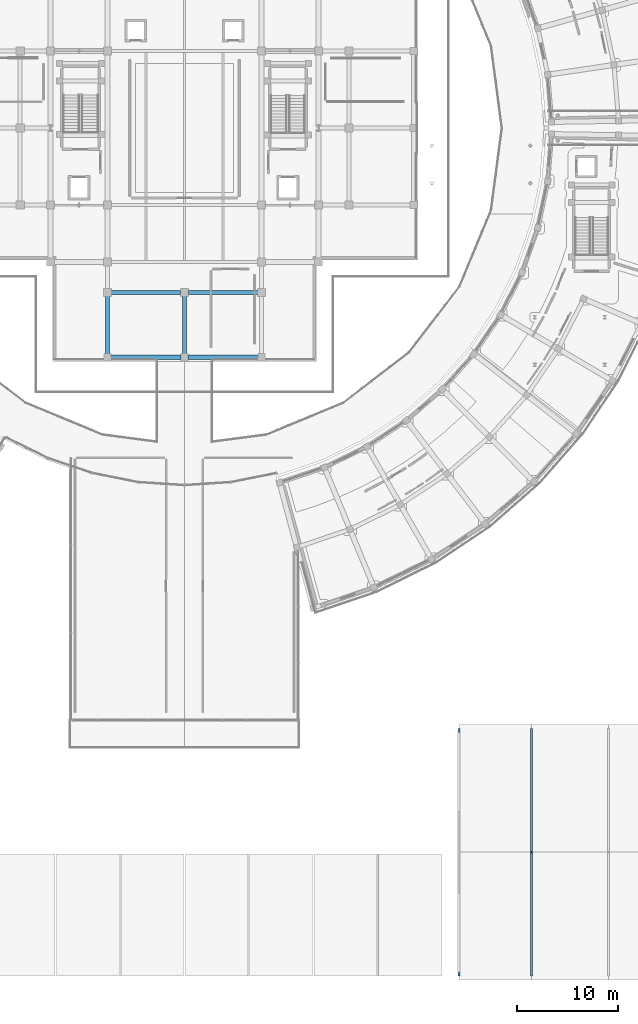
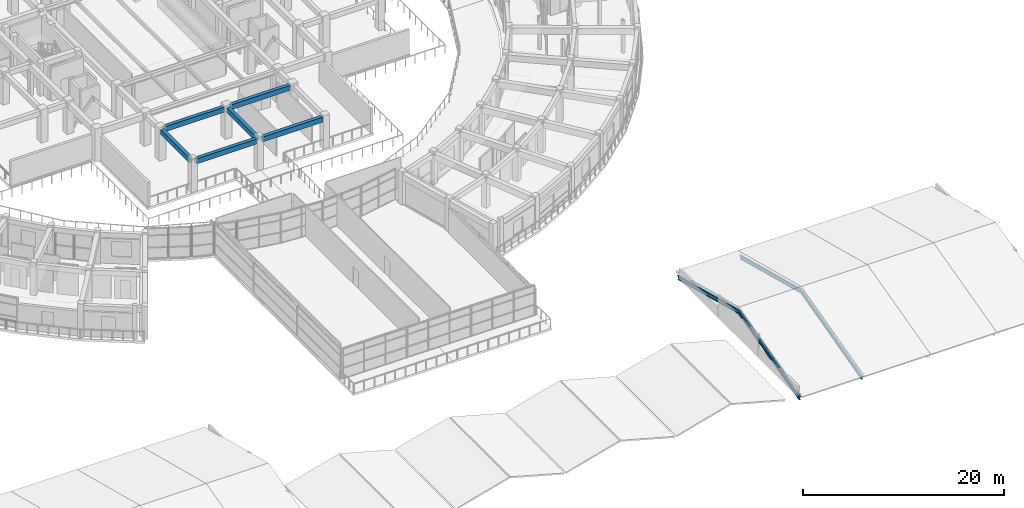
# One storey, part 16 of 83: 6 beams, 4 members.
"""IFC4 building model written with IfcOpenShell, lengths in metres."""

import ifcopenshell
import ifcopenshell.guid

model = None  # the IFC model being written
_history = None  # IfcOwnerHistory: only IFC2X3 demands one
_inside = {}  # id of a spatial element -> (the spatial element, [elements in it])
_under = {}  # id of a project, library or spatial element -> (it, [spatial elements below it])
_declared = {}  # id of a project -> (the project, [libraries it declares])
_typed = {}  # id of a type object -> (the type object, [elements of that type])
_made_of = {}  # id of a material, layer set ... -> (it, [elements and type objects made of it])


def new_model(schema):
    """Start an empty IFC model of exactly this schema.

    Asked for "IFC4X3", IfcOpenShell would pick the latest addendum, in which some entities
    have other attributes; the version numbers below select the first issue.
    IFC2X3 requires an IfcOwnerHistory on every rooted entity: one is made here for all.
    """
    global model, _history
    if schema == "IFC4X3":
        model = ifcopenshell.file(schema_version=(4, 3, 0, 0))
    else:
        model = ifcopenshell.file(schema=schema)
    _inside.clear()
    _under.clear()
    _declared.clear()
    _typed.clear()
    _made_of.clear()
    _history = None
    if model.schema == "IFC2X3":
        org = make("IfcOrganization", Name="unknown")
        user = make(
            "IfcPersonAndOrganization",
            ThePerson=make("IfcPerson", FamilyName="unknown"),
            TheOrganization=org,
        )
        app = make(
            "IfcApplication",
            ApplicationDeveloper=org,
            Version="unknown",
            ApplicationFullName="unknown",
            ApplicationIdentifier="unknown",
        )
        _history = make(
            "IfcOwnerHistory",
            OwningUser=user,
            OwningApplication=app,
            ChangeAction="ADDED",
            CreationDate=0,
        )
    return model


def make(cls, **values):
    """One entity of the class cls with the attributes given. An attribute that is None is left unset."""
    return model.create_entity(
        cls, **{name: value for name, value in values.items() if value is not None}
    )


def rooted(cls, **values):
    """An entity with a GlobalId (a new one), such as an element, a storey or a relation."""
    return make(cls, GlobalId=ifcopenshell.guid.new(), OwnerHistory=_history, **values)


def si_unit(unit_type, name, prefix=None):
    """IfcSIUnit, for example si_unit("LENGTHUNIT", "METRE", prefix="MILLI")."""
    return make("IfcSIUnit", UnitType=unit_type, Prefix=prefix, Name=name)


def assignment(units):
    """IfcUnitAssignment: the units of a project."""
    return None if units is None else make("IfcUnitAssignment", Units=units)


def point(xyz):
    """IfcCartesianPoint."""
    return None if xyz is None else make("IfcCartesianPoint", Coordinates=xyz)


def direction(xyz):
    """IfcDirection."""
    return None if xyz is None else make("IfcDirection", DirectionRatios=xyz)


def frame(location, z_axis=None, x_axis=None):
    """IfcAxis2Placement3D, a coordinate frame: its origin and axes. An axis left out is left unset."""
    return make(
        "IfcAxis2Placement3D",
        Location=point(location),
        Axis=direction(z_axis),
        RefDirection=direction(x_axis),
    )


def frame_2d(location, x_axis=None):
    """IfcAxis2Placement2D, a coordinate frame in the plane: its origin and x axis."""
    return make(
        "IfcAxis2Placement2D", Location=point(location), RefDirection=direction(x_axis)
    )


def origin():
    """The frame at (0, 0, 0) with its axes left unset."""
    return frame((0.0, 0.0, 0.0))


def origin_2d():
    """The frame at (0, 0) in the plane with its x axis left unset."""
    return frame_2d((0.0, 0.0))


def place(relative_to, where):
    """IfcLocalPlacement: puts the frame where relative to a parent placement (None: the world)."""
    return make(
        "IfcLocalPlacement", PlacementRelTo=relative_to, RelativePlacement=where
    )


def context(
    kind, dimensions, precision=None, world=None, true_north=None, identifier=None
):
    """IfcGeometricRepresentationContext, for example the 3D "Model" context."""
    return make(
        "IfcGeometricRepresentationContext",
        ContextIdentifier=identifier,
        ContextType=kind,
        CoordinateSpaceDimension=dimensions,
        Precision=precision,
        WorldCoordinateSystem=world,
        TrueNorth=true_north,
    )


def subcontext(parent, identifier, kind, view, scale=None):
    """IfcGeometricRepresentationSubContext, for example "Body" below "Model"."""
    return make(
        "IfcGeometricRepresentationSubContext",
        ContextIdentifier=identifier,
        ContextType=kind,
        ParentContext=parent,
        TargetScale=scale,
        TargetView=view,
    )


def project(units=None, contexts=None):
    """IfcProject with its units and contexts."""
    return rooted(
        "IfcProject",
        Name="project",
        RepresentationContexts=contexts,
        UnitsInContext=assignment(units),
    )


def spatial(cls, under=None, at=None, **own):
    """A site, building, storey or space (cls), placed at a placement, below another one or the project."""
    s = rooted(cls, ObjectPlacement=at, **own)
    if under is not None:
        _under.setdefault(under.id(), (under, []))[1].append(s)
    return s


def profile(cls, at=None, kind="AREA", **sizes):
    """A parametric profile (cls). Its sizes go by their IFC names, for example OverallWidth=200.0."""
    return make(cls, ProfileType=kind, Position=at, **sizes)


def rectangle(**sizes):
    """IfcRectangleProfileDef."""
    return profile("IfcRectangleProfileDef", **sizes)


def i_section(**sizes):
    """IfcIShapeProfileDef."""
    return profile("IfcIShapeProfileDef", **sizes)


def extrude(swept, where, along, depth):
    """IfcExtrudedAreaSolid: the profile swept, set in the frame where, extruded along a direction by depth."""
    return make(
        "IfcExtrudedAreaSolid",
        SweptArea=swept,
        Position=where,
        ExtrudedDirection=direction(along),
        Depth=depth,
    )


def shape(context_of_items, identifier, shape_type, items):
    """IfcShapeRepresentation: the items that make up one representation, for example the "Body"."""
    return make(
        "IfcShapeRepresentation",
        ContextOfItems=context_of_items,
        RepresentationIdentifier=identifier,
        RepresentationType=shape_type,
        Items=items,
    )


def material(Name=None, Category=None):
    """IfcMaterial."""
    return make("IfcMaterial", Name=Name, Category=Category)


def material_profile(
    of_material, cross_section, Name=None, Category=None, Priority=None
):
    """IfcMaterialProfile: a cross section and its material."""
    return make(
        "IfcMaterialProfile",
        Name=Name,
        Material=of_material,
        Profile=cross_section,
        Priority=Priority,
        Category=Category,
    )


def profile_set(profiles, Name=None, composite=None):
    """IfcMaterialProfileSet."""
    return make(
        "IfcMaterialProfileSet",
        Name=Name,
        MaterialProfiles=profiles,
        CompositeProfile=composite,
    )


def made_of(thing, what):
    """Note that an element or type object is made of a material, layer set ...; save() writes the relation."""
    if what is not None:
        _made_of.setdefault(what.id(), (what, []))[1].append(thing)
    return thing


def type_object(cls, material=None, **own):
    """A type object (cls), such as IfcWallType, which elements share."""
    return made_of(rooted(cls, **own), material)


def element(
    cls,
    number,
    at=None,
    inside=None,
    cuts=None,
    type_object=None,
    material=None,
    context=None,
    identifier="Body",
    shape_type=None,
    held_by="IfcProductDefinitionShape",
    body=None,
    shapes=None,
    **own,
):
    """One element of the class cls, such as IfcWall. Its Tag is "e" and its number.

    at: its placement. inside: the storey or other place that contains it. cuts: it is an
    opening in that element (IfcRelVoidsElement). A single representation is given by context,
    identifier, shape_type and body (its items); several are given by shapes. held_by: the class
    of the entity that holds the representations. save() writes the other relations.
    """
    e = rooted(cls, Tag="e%d" % number, ObjectPlacement=at, **own)
    if body is not None:
        shapes = [shape(context, identifier, shape_type, body)]
    if shapes is not None:
        e.Representation = make(held_by, Representations=shapes)
    if inside is not None:
        _inside.setdefault(inside.id(), (inside, []))[1].append(e)
    if cuts is not None:
        rooted(
            "IfcRelVoidsElement", RelatingBuildingElement=cuts, RelatedOpeningElement=e
        )
    if type_object is not None:
        _typed.setdefault(type_object.id(), (type_object, []))[1].append(e)
    return made_of(e, material)


def aggregate(whole, parts):
    """IfcRelAggregates: a whole, such as a stair, and the parts it consists of."""
    return rooted("IfcRelAggregates", RelatingObject=whole, RelatedObjects=parts)


def save(model, path):
    """Write the relations noted so far, then the file.

    IfcRelAggregates (storeys below a building ...), IfcRelContainedInSpatialStructure (elements
    in a storey), IfcRelDefinesByType, IfcRelAssociatesMaterial and IfcRelDeclares: one each for
    every whole, place, type object, material and project.
    """
    for whole, parts in _under.values():
        aggregate(whole, parts)
    for where, things in _inside.values():
        rooted(
            "IfcRelContainedInSpatialStructure",
            RelatedElements=things,
            RelatingStructure=where,
        )
    for kind, things in _typed.values():
        rooted("IfcRelDefinesByType", RelatedObjects=things, RelatingType=kind)
    for what, things in _made_of.values():
        rooted("IfcRelAssociatesMaterial", RelatedObjects=things, RelatingMaterial=what)
    for by, libraries in _declared.values():
        rooted("IfcRelDeclares", RelatingContext=by, RelatedDefinitions=libraries)
    model.write(path)


model = new_model("IFC4")

# Units and contexts
model_context = context("Model", 3, precision=1e-05, world=origin(), true_north=direction((0.0, 1.0)))
body_context = subcontext(model_context, "Body", "Model", "MODEL_VIEW")
ifc_project = project(units=[si_unit("LENGTHUNIT", "METRE"), si_unit("AREAUNIT", "SQUARE_METRE"), si_unit("VOLUMEUNIT", "CUBIC_METRE"), si_unit("PLANEANGLEUNIT", "RADIAN"), si_unit("MASSUNIT", "GRAM", prefix="KILO")], contexts=[model_context])

# Site, building, storey
site_placement = place(None, origin())
site = spatial("IfcSite", under=ifc_project, at=site_placement, CompositionType="ELEMENT")
building_placement = place(site_placement, origin())
building = spatial("IfcBuilding", under=site, at=building_placement, Name="Saryqyr Civic Hall", CompositionType="ELEMENT")
storey_placement = place(building_placement, frame((0.0, 0.0, 9.14990234375)))
storey = spatial("IfcBuildingStorey", under=building, at=storey_placement, Name="L02", CompositionType="ELEMENT", Elevation=9.14990234375)

# Beams
ifc_material_1 = material(Name="Concrete C35/45", Category="concrete")
ifc_material_profile_1 = material_profile(ifc_material_1, rectangle(XDim=0.39990234375, YDim=0.60009765625, at=origin_2d()), Name="RC 400x600")
ifc_profile_set_1 = profile_set([ifc_material_profile_1], Name="Concrete C35/45")
beam_type = type_object("IfcBeamType", Name="STR-BM-RC400x600", PredefinedType="BEAM", material=ifc_profile_set_1)
for number, where, z_axis, x_axis, name in (
    (1, (49.39990234375, 61.72509765625, 3.489990234375), (0.0, 1.0, 0.0), (-1.0, 0.0, 0.0), "Beam V1-TBM-07-L02"),
    (2, (57.0, 61.72509765625, 3.489990234375), (0.0, 1.0, 0.0), (-1.0, 0.0, 0.0), "Beam V1-TBM-08-L02"),
):
    element("IfcBeam", number, at=place(storey_placement, frame(where, z_axis=z_axis, x_axis=x_axis)), inside=storey, type_object=beam_type, Name=name, PredefinedType="BEAM", context=body_context, shape_type="SweptSolid", body=[
        extrude(rectangle(XDim=0.39990234375, YDim=0.60009765625, at=origin_2d()), origin(), (0.0, 0.0, 1.0), 5.699951171875),
    ])
for number, where, z_axis, x_axis, name in (
    (3, (49.72509765625, 61.39990234375, 3.489990234375), (1.0, 0.0, 0.0), (0.0, 1.0, 0.0), "Beam V1-TBM-17-L02"),
    (4, (57.324951171875, 61.39990234375, 3.489990234375), (1.0, 0.0, 0.0), (0.0, 1.0, 0.0), "Beam V1-TBM-18-L02"),
):
    element("IfcBeam", number, at=place(storey_placement, frame(where, z_axis=z_axis, x_axis=x_axis)), inside=storey, type_object=beam_type, Name=name, PredefinedType="BEAM", context=body_context, shape_type="SweptSolid", body=[
        extrude(rectangle(XDim=0.39990234375, YDim=0.60009765625, at=origin_2d()), origin(), (0.0, 0.0, 1.0), 6.949951171875),
    ])
for number, where, z_axis, x_axis, name in (
    (5, (49.77490234375, 67.800048828125, 3.489990234375), (1.0, 0.0, 0.0), (0.0, 1.0, 0.0), "Beam V1-TBM-35-L02"),
    (6, (57.375, 67.800048828125, 3.489990234375), (1.0, 0.0, 0.0), (0.0, 1.0, 0.0), "Beam V1-TBM-36-L02"),
):
    element("IfcBeam", number, at=place(storey_placement, frame(where, z_axis=z_axis, x_axis=x_axis)), inside=storey, type_object=beam_type, Name=name, PredefinedType="BEAM", context=body_context, shape_type="SweptSolid", body=[
        extrude(rectangle(XDim=0.39990234375, YDim=0.60009765625, at=origin_2d()), origin(), (0.0, 0.0, 1.0), 6.85009765625),
    ])

# Members
ifc_material_2 = material(Name="Steel S355", Category="steel")
ifc_material_profile_2 = material_profile(ifc_material_2, i_section(OverallWidth=0.18994140625, OverallDepth=0.449951171875, WebThickness=0.009521484375, FlangeThickness=0.0146484375, at=origin_2d()), Name="IPE 450")
ifc_profile_set_2 = profile_set([ifc_material_profile_2], Name="Steel S355")
member_type = type_object("IfcMemberType", Name="STR-RAF-IPE450", PredefinedType="RAFTER", material=ifc_profile_set_2)
member_1_placement = place(storey_placement, frame((84.050048828125, 0.449951171875, -0.489990234375), z_axis=(0.0, 0.967301750199, 0.253628318732), x_axis=(-1.0, 0.0, 0.0)))
element("IfcMember", 7, at=member_1_placement, inside=storey, type_object=member_type, Name="V7E-RAF-S-1-84", PredefinedType="RAFTER", context=body_context, shape_type="SweptSolid", body=[
    extrude(i_section(OverallWidth=0.18994140625, OverallDepth=0.449951171875, WebThickness=0.009521484375, FlangeThickness=0.0146484375, at=origin_2d()), origin(), (0.0, 0.0, 1.0), 12.560791015625),
])
member_2_placement = place(storey_placement, frame((84.050048828125, 24.75, -0.489990234375), z_axis=(0.0, -0.967300499858, 0.253633087302), x_axis=(1.0, 0.0, 0.0)))
element("IfcMember", 8, at=member_2_placement, inside=storey, type_object=member_type, Name="V7E-RAF-N-1-84", PredefinedType="RAFTER", context=body_context, shape_type="SweptSolid", body=[
    extrude(i_section(OverallWidth=0.18994140625, OverallDepth=0.449951171875, WebThickness=0.009521484375, FlangeThickness=0.0146484375, at=origin_2d()), origin(), (0.0, 0.0, 1.0), 12.560546875),
])
member_3_placement = place(storey_placement, frame((91.199951171875, 0.449951171875, -0.489990234375), z_axis=(0.0, 0.967301750199, 0.253628318732), x_axis=(-1.0, 0.0, 0.0)))
element("IfcMember", 9, at=member_3_placement, inside=storey, type_object=member_type, Name="V7E-RAF-S-1-91", PredefinedType="RAFTER", context=body_context, shape_type="SweptSolid", body=[
    extrude(i_section(OverallWidth=0.18994140625, OverallDepth=0.449951171875, WebThickness=0.009521484375, FlangeThickness=0.0146484375, at=origin_2d()), origin(), (0.0, 0.0, 1.0), 12.560791015625),
])
member_4_placement = place(storey_placement, frame((91.199951171875, 24.75, -0.489990234375), z_axis=(0.0, -0.967300499858, 0.253633087302), x_axis=(1.0, 0.0, 0.0)))
element("IfcMember", 10, at=member_4_placement, inside=storey, type_object=member_type, Name="V7E-RAF-N-1-91", PredefinedType="RAFTER", context=body_context, shape_type="SweptSolid", body=[
    extrude(i_section(OverallWidth=0.18994140625, OverallDepth=0.449951171875, WebThickness=0.009521484375, FlangeThickness=0.0146484375, at=origin_2d()), origin(), (0.0, 0.0, 1.0), 12.560546875),
])

save(model, "model.ifc")
